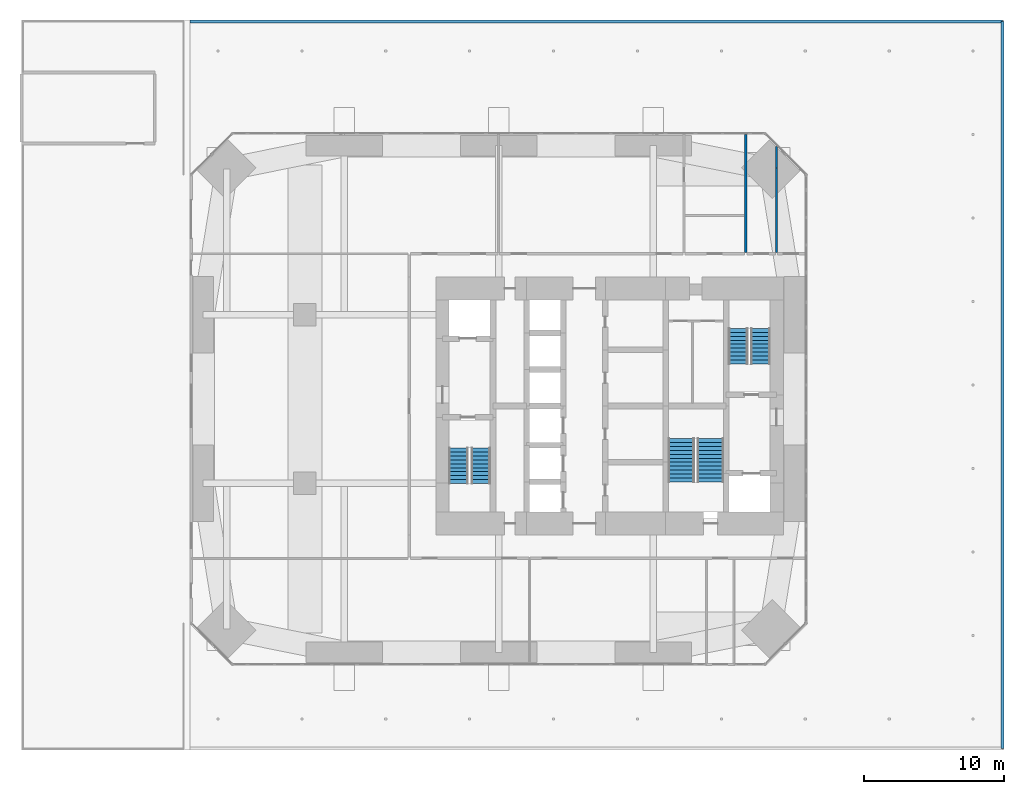
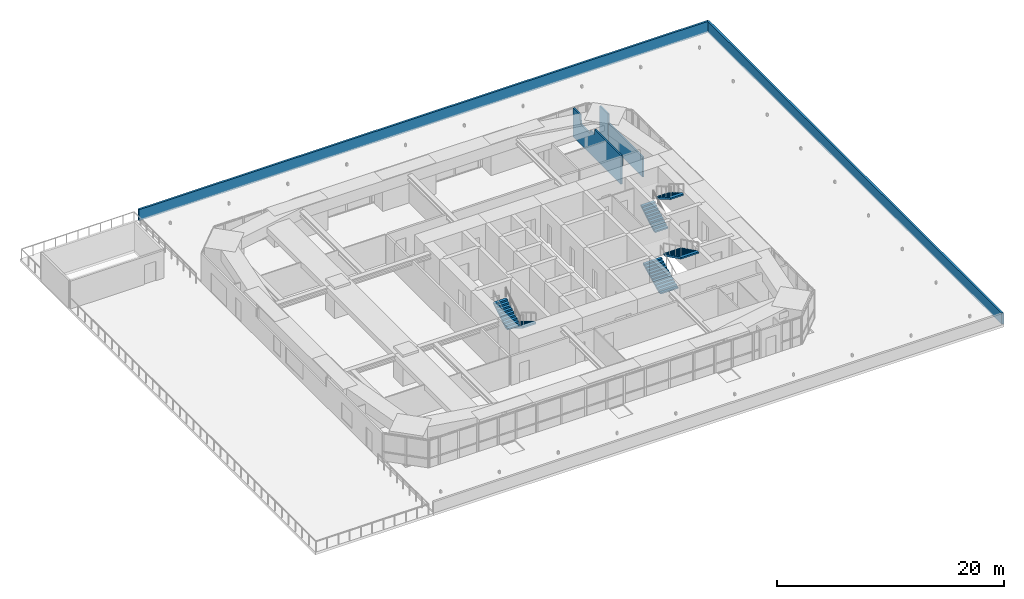
# One storey, part 16 of 20: 6 stair flights, 5 walls, 3 elements without a shape of their own.
"""IFC4 building model written with IfcOpenShell, lengths in metres."""

from ifc_helpers import new_model, si_unit, direction, frame, frame_2d, origin, place, context, subcontext, project, spatial, polyline, rectangle, outline, extrude, material, layer, layer_set, constituent, constituent_set, type_object, element, aggregate, save


model = new_model("IFC4")

# Units and contexts
model_context = context("Model", 3, precision=1e-05, world=origin(), true_north=direction((0.0, 1.0)))
body_context = subcontext(model_context, "Body", "Model", "MODEL_VIEW")
ifc_project = project(units=[si_unit("LENGTHUNIT", "METRE"), si_unit("AREAUNIT", "SQUARE_METRE"), si_unit("VOLUMEUNIT", "CUBIC_METRE"), si_unit("PLANEANGLEUNIT", "RADIAN"), si_unit("MASSUNIT", "GRAM", prefix="KILO")], contexts=[model_context])

# Site, building, storey
site_placement = place(None, origin())
site = spatial("IfcSite", under=ifc_project, at=site_placement, CompositionType="ELEMENT")
building_placement = place(site_placement, origin())
building = spatial("IfcBuilding", under=site, at=building_placement, Name="Jalousie Tower", CompositionType="ELEMENT")
storey_placement = place(building_placement, frame((0.0, 0.0, 21.0)))
storey = spatial("IfcBuildingStorey", under=building, at=storey_placement, Name="L04", CompositionType="ELEMENT", Elevation=21.0)

# Walls
ifc_material_1 = material(Name="Concrete block ASTM C90", Category="concrete")
ifc_constituent_1 = constituent(ifc_material_1, Name="Body")
ifc_material_2 = material(Name="Render")
ifc_constituent_2 = constituent(ifc_material_2, Name="Finish")
ifc_constituent_set = constituent_set(constituents=[ifc_constituent_1, ifc_constituent_2])
wall_type_1 = type_object("IfcWallType", Name="BATHROOM WALL 150", PredefinedType="PLUMBINGWALL", material=ifc_constituent_set)
wall_1_placement = place(storey_placement, frame((41.60009765625, 29.449951171875, 0.0), z_axis=(0.0, 0.0, 1.0), x_axis=(0.0, 1.0, 0.0)))
element("IfcWall", 1, at=wall_1_placement, inside=storey, type_object=wall_type_1, Name="Bathroom Wall 150 L04", PredefinedType="PLUMBINGWALL", context=body_context, shape_type="SweptSolid", body=[
    extrude(outline(polyline([(0.0, 0.0), (8.400146484375, 0.0), (8.39990234375, 3.110107421875), (7.20361328125, 3.110107421875), (7.20361328125, 2.510009765625), (7.10498046875, 2.510009765625), (7.10498046875, 2.14990234375), (5.44287109375, 2.14990234375), (5.44287109375, 2.510009765625), (4.633544921875, 2.510009765625), (4.633544921875, 3.110107421875), (0.0, 3.110107421875), (0.0, 0.0)])), frame((0.0, 0.074951171875, 0.0), z_axis=(0.0, -1.0, 0.0), x_axis=(1.0, 0.0, 0.0)), (0.0, 0.0, 1.0), 0.14990234375),
])
wall_2_placement = place(storey_placement, frame((43.800048828125, 29.449951171875, 0.0), z_axis=(0.0, 0.0, 1.0), x_axis=(0.0, 1.0, 0.0)))
element("IfcWall", 2, at=wall_2_placement, inside=storey, type_object=wall_type_1, Name="Bathroom Wall 150 L04-A", PredefinedType="PLUMBINGWALL", context=body_context, shape_type="SweptSolid", body=[
    extrude(rectangle(XDim=6.000732421875, YDim=0.14990234375, at=frame_2d((3.00048828125, 0.0))), origin(), (0.0, 0.0, 1.0), 2.14990234375),
])
wall_3_placement = place(storey_placement, frame((43.800048828125, 35.45068359375, 0.0), z_axis=(0.0, 0.0, 1.0), x_axis=(0.0, 1.0, 0.0)))
element("IfcWall", 3, at=wall_3_placement, inside=storey, type_object=wall_type_1, Name="Bathroom Wall 150 L04-B", PredefinedType="PLUMBINGWALL", context=body_context, shape_type="SweptSolid", body=[
    extrude(outline(polyline([(0.0, 0.0), (1.537109375, 0.0), (1.537109375, 3.110107421875), (0.073974609375, 3.110107421875), (0.073974609375, 2.14990234375), (0.0, 2.14990234375), (0.0, 0.0)])), frame((0.0, 0.074951171875, 0.0), z_axis=(0.0, -1.0, 0.0), x_axis=(1.0, 0.0, 0.0)), (0.0, 0.0, 1.0), 0.14990234375),
])
ifc_material_3 = material(Name="Concrete f'c 40 MPa", Category="concrete")
ifc_layer = layer(ifc_material_3, 0.199951171875)
ifc_layer_set = layer_set([ifc_layer], Name="Concrete f'c 40 MPa")
wall_type_2 = type_object("IfcWallType", Name="PARAPET WALL 200", PredefinedType="PARAPET", material=ifc_layer_set)
wall_4_placement = place(storey_placement, frame((59.89990234375, -5.89990234375, 0.0), z_axis=(0.0, 0.0, 1.0), x_axis=(0.0, 1.0, 0.0)))
element("IfcWall", 4, at=wall_4_placement, inside=storey, type_object=wall_type_2, Name="Parapet Wall 200 L04", PredefinedType="PARAPET", context=body_context, shape_type="SweptSolid", body=[
    extrude(rectangle(XDim=51.7998046875, YDim=0.199951171875, at=frame_2d((25.89990234375, 0.0))), origin(), (0.0, 0.0, 1.0), 1.199951171875),
])
wall_5_placement = place(storey_placement, frame((59.89990234375, 45.89990234375, 0.0), z_axis=(0.0, 0.0, 1.0), x_axis=(-1.0, 0.0, 0.0)))
element("IfcWall", 5, at=wall_5_placement, inside=storey, type_object=wall_type_2, Name="Parapet Wall 200 L04", PredefinedType="PARAPET", context=body_context, shape_type="SweptSolid", body=[
    extrude(rectangle(XDim=57.89990234375, YDim=0.199951171875, at=frame_2d((28.949951171875, 0.0))), origin(), (0.0, 0.0, 1.0), 1.199951171875),
])

# Stair, stair flights
ifc_material_4 = material(Name="Concrete f'c 40 MPa", Category="concrete")
stair_type = type_object("IfcStairType", Name="EXIT STAIR", PredefinedType="HALF_TURN_STAIR", material=ifc_material_4)
stair_1_placement = place(storey_placement, origin())
stair_1 = element("IfcStair", 6, at=stair_1_placement, inside=storey, type_object=stair_type, Name="Exit stair A L04", PredefinedType="HALF_TURN_STAIR")
ifc_material_5 = material(Name="Concrete f'c 40 MPa", Category="concrete")
stair_flight_type = type_object("IfcStairFlightType", Name="STAIR FLIGHT", PredefinedType="STRAIGHT", material=ifc_material_5)
stair_flight_1_placement = place(storey_placement, frame((22.731201171875, 15.49755859375, 0.0), z_axis=(0.0, 0.0, 1.0), x_axis=(0.0, -1.0, 0.0)))
stair_flight_1 = element("IfcStairFlight", 7, at=stair_flight_1_placement, type_object=stair_flight_type, Name="ST-A flight 1", NumberOfRisers=10, NumberOfTreads=9, PredefinedType="STRAIGHT", RiserHeight=0.1675, TreadLength=0.28, context=body_context, shape_type="SweptSolid", body=[
    extrude(outline(polyline([(0.0, 0.0), (0.0, 0.16748046875), (0.280029296875, 0.16748046875), (0.280029296875, 0.3349609375), (0.56005859375, 0.3349609375), (0.56005859375, 0.50244140625), (0.840087890625, 0.50244140625), (0.840087890625, 0.669921875), (1.1201171875, 0.669921875), (1.1201171875, 0.83740234375), (1.39990234375, 0.83740234375), (1.39990234375, 1.0048828125), (1.679931640625, 1.0048828125), (1.679931640625, 1.172607421875), (1.9599609375, 1.172607421875), (1.9599609375, 1.340087890625), (2.239990234375, 1.340087890625), (2.239990234375, 1.507568359375), (2.52001953125, 1.507568359375), (2.52001953125, 1.675048828125), (2.52001953125, 1.332763671875), (0.2919921875, 0.0), (0.0, 0.0)])), frame((0.0, 0.668701171875, 0.0), z_axis=(0.0, -1.0, 0.0), x_axis=(1.0, 0.0, 0.0)), (0.0, 0.0, 1.0), 1.33740234375),
])
stair_flight_2_placement = place(storey_placement, frame((21.143798828125, 12.9775390625, 1.675048828125), z_axis=(0.0, 0.0, 1.0), x_axis=(0.0, 1.0, 0.0)))
stair_flight_2 = element("IfcStairFlight", 8, at=stair_flight_2_placement, type_object=stair_flight_type, Name="ST-A flight 2", NumberOfRisers=10, NumberOfTreads=9, PredefinedType="STRAIGHT", RiserHeight=0.1675, TreadLength=0.28, context=body_context, shape_type="SweptSolid", body=[
    extrude(outline(polyline([(0.0, 0.0), (0.0, 0.16748046875), (0.280029296875, 0.16748046875), (0.280029296875, 0.3349609375), (0.56005859375, 0.3349609375), (0.56005859375, 0.50244140625), (0.840087890625, 0.50244140625), (0.840087890625, 0.669921875), (1.1201171875, 0.669921875), (1.1201171875, 0.83740234375), (1.39990234375, 0.83740234375), (1.39990234375, 1.0048828125), (1.679931640625, 1.0048828125), (1.679931640625, 1.172607421875), (1.9599609375, 1.172607421875), (1.9599609375, 1.340087890625), (2.239990234375, 1.340087890625), (2.239990234375, 1.507568359375), (2.52001953125, 1.507568359375), (2.52001953125, 1.675048828125), (2.52001953125, 1.332763671875), (0.2919921875, 0.0), (0.0, 0.0)])), frame((0.0, 0.668701171875, 0.0), z_axis=(0.0, -1.0, 0.0), x_axis=(1.0, 0.0, 0.0)), (0.0, 0.0, 1.0), 1.33740234375),
])
aggregate(stair_1, [stair_flight_1, stair_flight_2])

stair_2_placement = place(storey_placement, origin())
stair_2 = element("IfcStair", 9, at=stair_2_placement, inside=storey, type_object=stair_type, Name="Exit stair B L04", PredefinedType="HALF_TURN_STAIR")
stair_flight_3_placement = place(storey_placement, frame((41.06884765625, 21.50244140625, 0.0), z_axis=(0.0, 0.0, 1.0), x_axis=(0.0, 1.0, 0.0)))
stair_flight_3 = element("IfcStairFlight", 10, at=stair_flight_3_placement, type_object=stair_flight_type, Name="ST-B flight 1", NumberOfRisers=10, NumberOfTreads=9, PredefinedType="STRAIGHT", RiserHeight=0.1675, TreadLength=0.28, context=body_context, shape_type="SweptSolid", body=[
    extrude(outline(polyline([(0.0, 0.0), (0.0, 0.16748046875), (0.280029296875, 0.16748046875), (0.280029296875, 0.3349609375), (0.56005859375, 0.3349609375), (0.56005859375, 0.50244140625), (0.840087890625, 0.50244140625), (0.840087890625, 0.669921875), (1.1201171875, 0.669921875), (1.1201171875, 0.83740234375), (1.39990234375, 0.83740234375), (1.39990234375, 1.0048828125), (1.679931640625, 1.0048828125), (1.679931640625, 1.172607421875), (1.9599609375, 1.172607421875), (1.9599609375, 1.340087890625), (2.239990234375, 1.340087890625), (2.239990234375, 1.507568359375), (2.52001953125, 1.507568359375), (2.52001953125, 1.675048828125), (2.52001953125, 1.332763671875), (0.2919921875, 0.0), (0.0, 0.0)])), frame((0.0, 0.668701171875, 0.0), z_axis=(0.0, -1.0, 0.0), x_axis=(1.0, 0.0, 0.0)), (0.0, 0.0, 1.0), 1.33740234375),
])
stair_flight_4_placement = place(storey_placement, frame((42.65625, 24.0224609375, 1.675048828125), z_axis=(0.0, 0.0, 1.0), x_axis=(0.0, -1.0, 0.0)))
stair_flight_4 = element("IfcStairFlight", 11, at=stair_flight_4_placement, type_object=stair_flight_type, Name="ST-B flight 2", NumberOfRisers=10, NumberOfTreads=9, PredefinedType="STRAIGHT", RiserHeight=0.1675, TreadLength=0.28, context=body_context, shape_type="SweptSolid", body=[
    extrude(outline(polyline([(0.0, 0.0), (0.0, 0.16748046875), (0.280029296875, 0.16748046875), (0.280029296875, 0.3349609375), (0.56005859375, 0.3349609375), (0.56005859375, 0.50244140625), (0.840087890625, 0.50244140625), (0.840087890625, 0.669921875), (1.1201171875, 0.669921875), (1.1201171875, 0.83740234375), (1.39990234375, 0.83740234375), (1.39990234375, 1.0048828125), (1.679931640625, 1.0048828125), (1.679931640625, 1.172607421875), (1.9599609375, 1.172607421875), (1.9599609375, 1.340087890625), (2.239990234375, 1.340087890625), (2.239990234375, 1.507568359375), (2.52001953125, 1.507568359375), (2.52001953125, 1.675048828125), (2.52001953125, 1.332763671875), (0.2919921875, 0.0), (0.0, 0.0)])), frame((0.0, 0.668701171875, 0.0), z_axis=(0.0, -1.0, 0.0), x_axis=(1.0, 0.0, 0.0)), (0.0, 0.0, 1.0), 1.33740234375),
])
aggregate(stair_2, [stair_flight_3, stair_flight_4])

stair_3_placement = place(storey_placement, origin())
stair_3 = element("IfcStair", 12, at=stair_3_placement, inside=storey, type_object=stair_type, Name="Exit stair C L04", PredefinedType="HALF_TURN_STAIR")
stair_flight_5_placement = place(storey_placement, frame((37.012451171875, 13.097412109375, 0.0), z_axis=(0.0, 0.0, 1.0), x_axis=(0.0, 1.0, 0.0)))
stair_flight_5 = element("IfcStairFlight", 13, at=stair_flight_5_placement, type_object=stair_flight_type, Name="ST-C flight 1", NumberOfRisers=12, NumberOfTreads=11, PredefinedType="STRAIGHT", RiserHeight=0.139583333, TreadLength=0.28, context=body_context, shape_type="SweptSolid", body=[
    extrude(outline(polyline([(0.0, 0.0), (0.0, 0.1396484375), (0.280029296875, 0.1396484375), (0.280029296875, 0.279052734375), (0.56005859375, 0.279052734375), (0.56005859375, 0.418701171875), (0.840087890625, 0.418701171875), (0.840087890625, 0.558349609375), (1.1201171875, 0.558349609375), (1.1201171875, 0.697998046875), (1.39990234375, 0.697998046875), (1.39990234375, 0.83740234375), (1.679931640625, 0.83740234375), (1.679931640625, 0.97705078125), (1.9599609375, 0.97705078125), (1.9599609375, 1.11669921875), (2.239990234375, 1.11669921875), (2.239990234375, 1.25634765625), (2.52001953125, 1.25634765625), (2.52001953125, 1.395751953125), (2.800048828125, 1.395751953125), (2.800048828125, 1.535400390625), (3.080078125, 1.535400390625), (3.080078125, 1.675048828125), (3.080078125, 1.367919921875), (0.3359375, 0.0), (0.0, 0.0)])), frame((0.0, 0.91259765625, 0.0), z_axis=(0.0, -1.0, 0.0), x_axis=(1.0, 0.0, 0.0)), (0.0, 0.0, 1.0), 1.824951171875),
])
stair_flight_6_placement = place(storey_placement, frame((39.08740234375, 16.177490234375, 1.675048828125), z_axis=(0.0, 0.0, 1.0), x_axis=(0.0, -1.0, 0.0)))
stair_flight_6 = element("IfcStairFlight", 14, at=stair_flight_6_placement, type_object=stair_flight_type, Name="ST-C flight 2", NumberOfRisers=12, NumberOfTreads=11, PredefinedType="STRAIGHT", RiserHeight=0.139583333, TreadLength=0.28, context=body_context, shape_type="SweptSolid", body=[
    extrude(outline(polyline([(0.0, 0.0), (0.0, 0.1396484375), (0.280029296875, 0.1396484375), (0.280029296875, 0.279052734375), (0.56005859375, 0.279052734375), (0.56005859375, 0.418701171875), (0.840087890625, 0.418701171875), (0.840087890625, 0.558349609375), (1.1201171875, 0.558349609375), (1.1201171875, 0.697998046875), (1.39990234375, 0.697998046875), (1.39990234375, 0.83740234375), (1.679931640625, 0.83740234375), (1.679931640625, 0.97705078125), (1.9599609375, 0.97705078125), (1.9599609375, 1.11669921875), (2.239990234375, 1.11669921875), (2.239990234375, 1.25634765625), (2.52001953125, 1.25634765625), (2.52001953125, 1.395751953125), (2.800048828125, 1.395751953125), (2.800048828125, 1.535400390625), (3.080078125, 1.535400390625), (3.080078125, 1.675048828125), (3.080078125, 1.367919921875), (0.3359375, 0.0), (0.0, 0.0)])), frame((0.0, 0.91259765625, 0.0), z_axis=(0.0, -1.0, 0.0), x_axis=(1.0, 0.0, 0.0)), (0.0, 0.0, 1.0), 1.824951171875),
])
aggregate(stair_3, [stair_flight_5, stair_flight_6])

save(model, "model.ifc")
